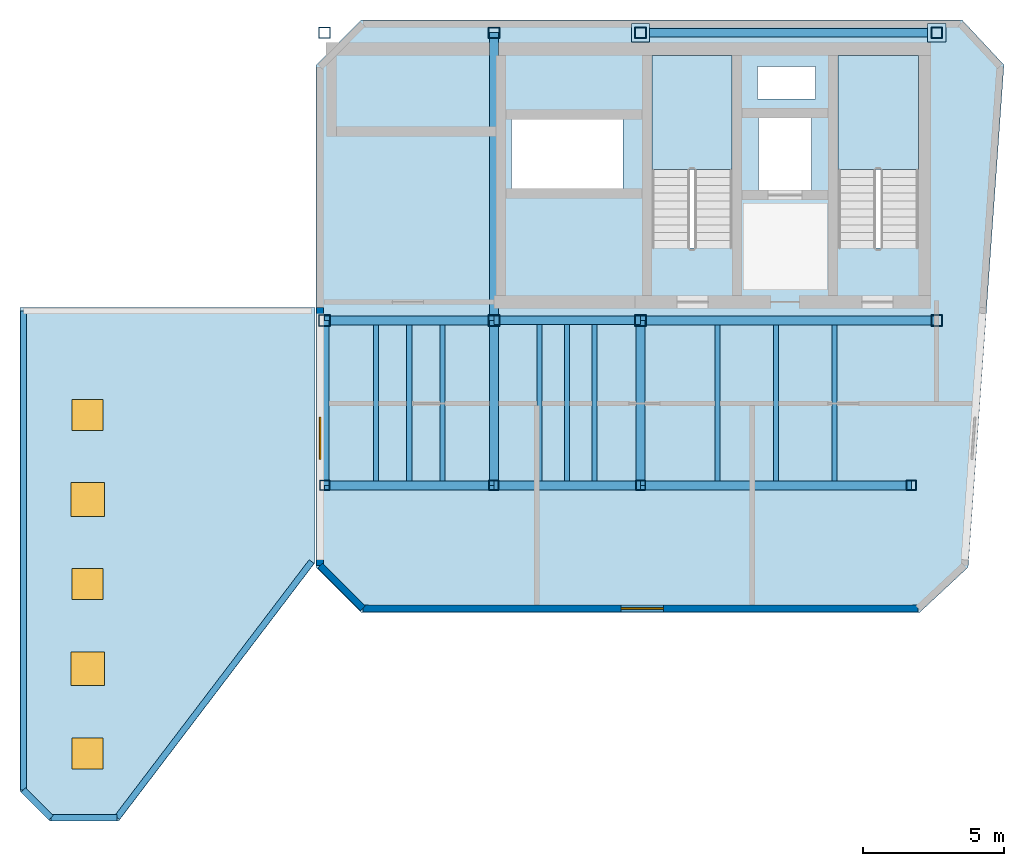
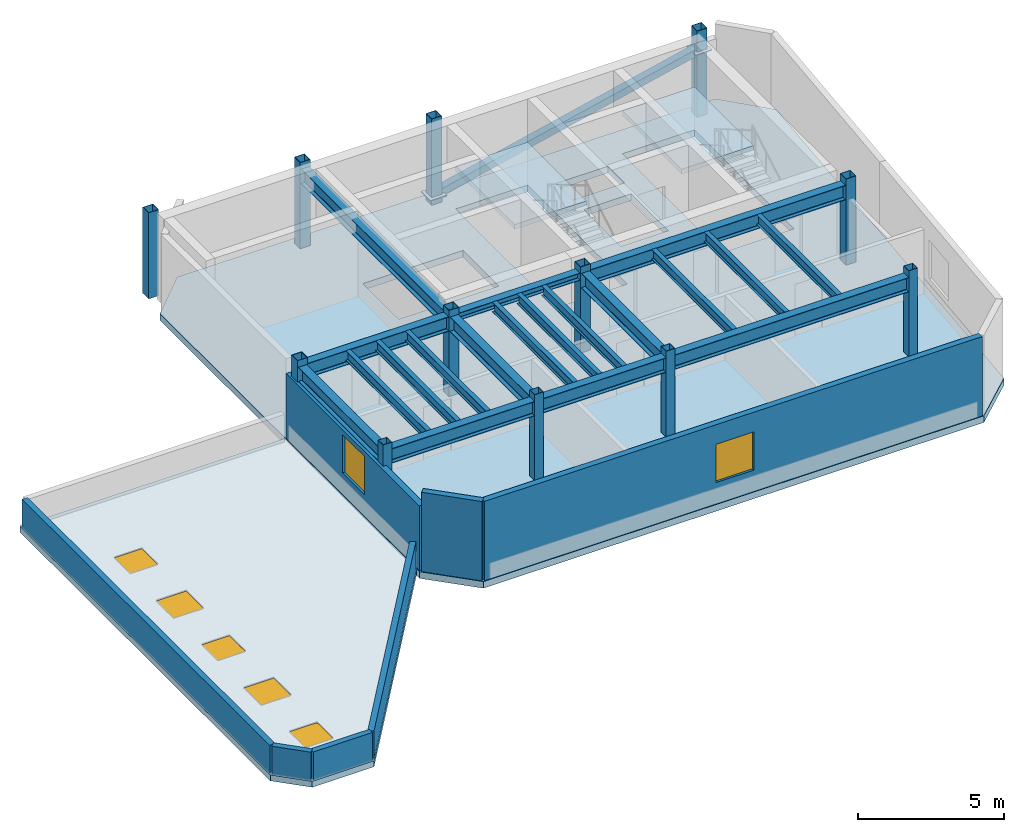
# One storey, part 1 of 4: 19 beams, 12 columns, 7 walls, 4 slabs, 4 windows, 3 doors, 2 plates, 1 member, 7 openings, 2 elements without a shape of their own.
"""IFC4 building model written with IfcOpenShell, lengths in metres."""

from ifc_helpers import new_model, si_unit, direction, frame, frame_2d, origin, origin_2d, place, context, subcontext, project, spatial, polyline, rectangle, hollow_rectangle, i_section, outline, extrude, material, layer, layer_set, material_profile, profile_set, type_object, element, fill, aggregate, save


model = new_model("IFC4")

# Units and contexts
model_context = context("Model", 3, precision=1e-05, world=origin(), true_north=direction((0.0, 1.0)))
body_context = subcontext(model_context, "Body", "Model", "MODEL_VIEW")
ifc_project = project(units=[si_unit("LENGTHUNIT", "METRE"), si_unit("AREAUNIT", "SQUARE_METRE"), si_unit("VOLUMEUNIT", "CUBIC_METRE"), si_unit("PLANEANGLEUNIT", "RADIAN"), si_unit("MASSUNIT", "GRAM", prefix="KILO")], contexts=[model_context])

# Site, building, storey
site_placement = place(None, origin())
site = spatial("IfcSite", under=ifc_project, at=site_placement, CompositionType="ELEMENT")
building_placement = place(site_placement, origin())
building = spatial("IfcBuilding", under=site, at=building_placement, Name="Kravanh Interchange Tower", CompositionType="ELEMENT")
storey_placement = place(building_placement, frame((0.0, 0.0, 315.60009765625)))
storey = spatial("IfcBuildingStorey", under=building, at=storey_placement, Name="L78", CompositionType="ELEMENT", Elevation=315.60009765625)

# Columns
ifc_material_1 = material(Name="Structural Steel S355", Category="steel")
ifc_material_profile_1 = material_profile(ifc_material_1, hollow_rectangle(XDim=0.35009765625, YDim=0.35009765625, WallThickness=0.01611328125, at=origin_2d()), Name="HSS350X350X16")
ifc_profile_set_1 = profile_set([ifc_material_profile_1], Name="Structural Steel S355")
column_type_1 = type_object("IfcColumnType", Name="Column HSS350X350X16 Structural Steel S355", PredefinedType="COLUMN", material=ifc_profile_set_1)
for number, where, z_axis, x_axis, name in (
    (1, (56.0, 31.5, 0.0), (0.0, 0.0, 1.0), (1.0, 0.0, 0.0), "L78 Column CC_F"),
    (2, (65.60009765625, 31.5, 0.0), (0.0, 0.0, 1.0), (1.0, 0.0, 0.0), "L78 Column CC_G"),
    (3, (50.800048828125, 31.5, 0.0), (0.0, 0.0, 1.0), (1.0, 0.0, 0.0), "L78 Column CC_I"),
    (4, (44.800048828125, 31.5, 0.0), (0.0, 0.0, 1.0), (1.0, 0.0, 0.0), "L78 Column CH_E1"),
):
    element("IfcColumn", number, at=place(storey_placement, frame(where, z_axis=z_axis, x_axis=x_axis)), inside=storey, type_object=column_type_1, Name=name, PredefinedType="COLUMN", context=body_context, shape_type="SweptSolid", body=[
        extrude(hollow_rectangle(XDim=0.35009765625, YDim=0.35009765625, WallThickness=0.01611328125, at=origin_2d()), origin(), (0.0, 0.0, 1.0), 3.599853515625),
    ])
ifc_material_2 = material(Name="Structural Steel S355", Category="steel")
ifc_material_profile_2 = material_profile(ifc_material_2, hollow_rectangle(XDim=0.39990234375, YDim=0.39990234375, WallThickness=0.01611328125, at=origin_2d()), Name="HSS400X400X16")
ifc_profile_set_2 = profile_set([ifc_material_profile_2], Name="Structural Steel S355")
column_type_2 = type_object("IfcColumnType", Name="Column HSS400X400X16 Structural Steel S355", PredefinedType="COLUMN", material=ifc_profile_set_2)
for number, where, z_axis, x_axis, name in (
    (5, (66.5, 47.550048828125, 0.0), (0.0, 0.0, 1.0), (1.0, 0.0, 0.0), "L78 Column CS01"),
    (6, (56.0, 47.550048828125, 0.0), (0.0, 0.0, 1.0), (1.0, 0.0, 0.0), "L78 Column CS02"),
    (7, (66.5, 37.35009765625, 0.0), (0.0, 0.0, 1.0), (1.0, 0.0, 0.0), "L78 Column CS03"),
    (8, (56.0, 37.35009765625, 0.0), (0.0, 0.0, 1.0), (1.0, 0.0, 0.0), "L78 Column CS04"),
    (9, (50.800048828125, 47.550048828125, 0.0), (0.0, 0.0, 1.0), (1.0, 0.0, 0.0), "L78 Column CS05"),
    (10, (50.800048828125, 37.35009765625, 0.0), (0.0, 0.0, 1.0), (1.0, 0.0, 0.0), "L78 Column CS06"),
    (11, (44.800048828125, 37.35009765625, 0.0), (0.0, 0.0, 1.0), (1.0, 0.0, 0.0), "L78 Column CS07"),
    (12, (44.800048828125, 47.550048828125, 0.0), (0.0, 0.0, 1.0), (1.0, 0.0, 0.0), "L78 Column CS08"),
):
    element("IfcColumn", number, at=place(storey_placement, frame(where, z_axis=z_axis, x_axis=x_axis)), inside=storey, type_object=column_type_2, Name=name, PredefinedType="COLUMN", context=body_context, shape_type="SweptSolid", body=[
        extrude(hollow_rectangle(XDim=0.39990234375, YDim=0.39990234375, WallThickness=0.01611328125, at=origin_2d()), origin(), (0.0, 0.0, 1.0), 3.599853515625),
    ])

# Beams
ifc_material_3 = material(Name="Structural Steel S355", Category="steel")
ifc_material_profile_3 = material_profile(ifc_material_3, i_section(OverallWidth=0.323974609375, OverallDepth=0.611083984375, WebThickness=0.0126953125, FlangeThickness=0.01904296875, FilletRadius=0.02197265625, at=origin_2d()), Name="W24X104")
ifc_profile_set_3 = profile_set([ifc_material_profile_3], Name="Structural Steel S355")
beam_type_1 = type_object("IfcBeamType", Name="Floor Beam W24X104 Structural Steel S355", PredefinedType="BEAM", material=ifc_profile_set_3)
beam_1_placement = place(storey_placement, frame((56.0, 31.5, 3.014404296875), z_axis=(-1.0, 0.0, 0.0), x_axis=(0.0, -1.0, 0.0)))
element("IfcBeam", 13, at=beam_1_placement, inside=storey, type_object=beam_type_1, Name="L78 Primary Floor Girder 1", PredefinedType="BEAM", context=body_context, shape_type="SweptSolid", body=[
    extrude(i_section(OverallWidth=0.323974609375, OverallDepth=0.611083984375, WebThickness=0.0126953125, FlangeThickness=0.01904296875, FilletRadius=0.02197265625, at=origin_2d()), origin(), (0.0, 0.0, 1.0), 5.199951171875),
])
beam_2_placement = place(storey_placement, frame((56.0, 31.5, 3.014404296875), z_axis=(0.0, 1.0, 0.0), x_axis=(-1.0, 0.0, 0.0)))
element("IfcBeam", 14, at=beam_2_placement, inside=storey, type_object=beam_type_1, Name="L78 Primary Floor Girder 2", PredefinedType="BEAM", context=body_context, shape_type="SweptSolid", body=[
    extrude(i_section(OverallWidth=0.323974609375, OverallDepth=0.611083984375, WebThickness=0.0126953125, FlangeThickness=0.01904296875, FilletRadius=0.02197265625, at=origin_2d()), origin(), (0.0, 0.0, 1.0), 5.85009765625),
])
beam_3_placement = place(storey_placement, frame((56.0, 31.5, 3.014404296875), z_axis=(1.0, 0.0, 0.0), x_axis=(0.0, 1.0, 0.0)))
element("IfcBeam", 15, at=beam_3_placement, inside=storey, type_object=beam_type_1, Name="L78 Primary Floor Girder 3", PredefinedType="BEAM", context=body_context, shape_type="SweptSolid", body=[
    extrude(i_section(OverallWidth=0.323974609375, OverallDepth=0.611083984375, WebThickness=0.0126953125, FlangeThickness=0.01904296875, FilletRadius=0.02197265625, at=origin_2d()), origin(), (0.0, 0.0, 1.0), 9.60009765625),
])
beam_4_placement = place(storey_placement, frame((50.800048828125, 31.5, 3.014404296875), z_axis=(0.0, 1.0, 0.0), x_axis=(-1.0, 0.0, 0.0)))
element("IfcBeam", 16, at=beam_4_placement, inside=storey, type_object=beam_type_1, Name="L78 Primary Floor Girder 4", PredefinedType="BEAM", context=body_context, shape_type="SweptSolid", body=[
    extrude(i_section(OverallWidth=0.323974609375, OverallDepth=0.611083984375, WebThickness=0.0126953125, FlangeThickness=0.01904296875, FilletRadius=0.02197265625, at=origin_2d()), origin(), (0.0, 0.0, 1.0), 5.85009765625),
])
beam_5_placement = place(storey_placement, frame((50.800048828125, 31.5, 3.014404296875), z_axis=(-1.0, 0.0, 0.0), x_axis=(0.0, -1.0, 0.0)))
element("IfcBeam", 17, at=beam_5_placement, inside=storey, type_object=beam_type_1, Name="L78 Primary Floor Girder 5", PredefinedType="BEAM", context=body_context, shape_type="SweptSolid", body=[
    extrude(i_section(OverallWidth=0.323974609375, OverallDepth=0.611083984375, WebThickness=0.0126953125, FlangeThickness=0.01904296875, FilletRadius=0.02197265625, at=origin_2d()), origin(), (0.0, 0.0, 1.0), 6.0),
])
beam_6_placement = place(storey_placement, frame((44.800048828125, 31.5, 3.014404296875), z_axis=(0.0, 1.0, 0.0), x_axis=(-1.0, 0.0, 0.0)))
element("IfcBeam", 18, at=beam_6_placement, inside=storey, type_object=beam_type_1, Name="L78 Primary Floor Girder 6", PredefinedType="BEAM", context=body_context, shape_type="SweptSolid", body=[
    extrude(i_section(OverallWidth=0.323974609375, OverallDepth=0.611083984375, WebThickness=0.0126953125, FlangeThickness=0.01904296875, FilletRadius=0.02197265625, at=origin_2d()), origin(), (0.0, 0.0, 1.0), 5.85009765625),
])
beam_7_placement = place(storey_placement, frame((66.5, 37.35009765625, 3.014404296875), z_axis=(-1.0, 0.0, 0.0), x_axis=(0.0, -1.0, 0.0)))
element("IfcBeam", 19, at=beam_7_placement, inside=storey, type_object=beam_type_1, Name="L78 Primary Floor Girder 11", PredefinedType="BEAM", context=body_context, shape_type="SweptSolid", body=[
    extrude(i_section(OverallWidth=0.323974609375, OverallDepth=0.611083984375, WebThickness=0.0126953125, FlangeThickness=0.01904296875, FilletRadius=0.02197265625, at=origin_2d()), origin(), (0.0, 0.0, 1.0), 10.5),
])
beam_8_placement = place(storey_placement, frame((50.800048828125, 47.550048828125, 3.014404296875), z_axis=(0.0, -1.0, 0.0), x_axis=(1.0, 0.0, 0.0)))
element("IfcBeam", 20, at=beam_8_placement, inside=storey, type_object=beam_type_1, Name="L78 Primary Floor Girder 13", PredefinedType="BEAM", context=body_context, shape_type="SweptSolid", body=[
    extrude(i_section(OverallWidth=0.323974609375, OverallDepth=0.611083984375, WebThickness=0.0126953125, FlangeThickness=0.01904296875, FilletRadius=0.02197265625, at=origin_2d()), origin(), (0.0, 0.0, 1.0), 10.199951171875),
])
beam_9_placement = place(storey_placement, frame((50.800048828125, 37.35009765625, 3.014404296875), z_axis=(-1.0, 0.0, 0.0), x_axis=(0.0, -1.0, 0.0)))
element("IfcBeam", 21, at=beam_9_placement, inside=storey, type_object=beam_type_1, Name="L78 Primary Floor Girder 14", PredefinedType="BEAM", context=body_context, shape_type="SweptSolid", body=[
    extrude(i_section(OverallWidth=0.323974609375, OverallDepth=0.611083984375, WebThickness=0.0126953125, FlangeThickness=0.01904296875, FilletRadius=0.02197265625, at=origin_2d()), origin(), (0.0, 0.0, 1.0), 6.0),
])
ifc_material_4 = material(Name="Structural Steel S355", Category="steel")
ifc_material_profile_4 = material_profile(ifc_material_4, i_section(OverallWidth=0.177978515625, OverallDepth=0.406005859375, WebThickness=0.0078125, FlangeThickness=0.0126953125, FilletRadius=0.01611328125, at=origin_2d()), Name="W16X40")
ifc_profile_set_4 = profile_set([ifc_material_profile_4], Name="Structural Steel S355")
beam_type_2 = type_object("IfcBeamType", Name="Floor Joist W16X40 Structural Steel S355", PredefinedType="JOIST", material=ifc_profile_set_4)
for number, where, z_axis, x_axis, name in (
    (22, (46.625, 31.656982421875, 3.116943359375), (0.0, 1.0, 0.0), (-1.0, 0.0, 0.0), "L78 Secondary Floor Joist 1"),
    (23, (47.800048828125, 31.656982421875, 3.116943359375), (0.0, 1.0, 0.0), (-1.0, 0.0, 0.0), "L78 Secondary Floor Joist 2"),
    (24, (48.97509765625, 31.656982421875, 3.116943359375), (0.0, 1.0, 0.0), (-1.0, 0.0, 0.0), "L78 Secondary Floor Joist 3"),
):
    element("IfcBeam", number, at=place(storey_placement, frame(where, z_axis=z_axis, x_axis=x_axis)), inside=storey, type_object=beam_type_2, Name=name, PredefinedType="JOIST", context=body_context, shape_type="SweptSolid", body=[
        extrude(i_section(OverallWidth=0.177978515625, OverallDepth=0.406005859375, WebThickness=0.0078125, FlangeThickness=0.0126953125, FilletRadius=0.01611328125, at=origin_2d()), origin(), (0.0, 0.0, 1.0), 5.5361328125),
    ])
for number, where, z_axis, x_axis, name in (
    (25, (52.425048828125, 31.656982421875, 3.116943359375), (0.0, 1.0, 0.0), (-1.0, 0.0, 0.0), "L78 Secondary Floor Joist 4"),
    (26, (53.39990234375, 31.656982421875, 3.116943359375), (0.0, 1.0, 0.0), (-1.0, 0.0, 0.0), "L78 Secondary Floor Joist 5"),
    (27, (54.375, 31.656982421875, 3.116943359375), (0.0, 1.0, 0.0), (-1.0, 0.0, 0.0), "L78 Secondary Floor Joist 6"),
):
    element("IfcBeam", number, at=place(storey_placement, frame(where, z_axis=z_axis, x_axis=x_axis)), inside=storey, type_object=beam_type_2, Name=name, PredefinedType="JOIST", context=body_context, shape_type="SweptSolid", body=[
        extrude(i_section(OverallWidth=0.177978515625, OverallDepth=0.406005859375, WebThickness=0.0078125, FlangeThickness=0.0126953125, FilletRadius=0.01611328125, at=origin_2d()), origin(), (0.0, 0.0, 1.0), 5.54541015625),
    ])
for number, where, z_axis, x_axis, name in (
    (28, (58.72509765625, 31.656982421875, 3.116943359375), (0.0, 1.0, 0.0), (-1.0, 0.0, 0.0), "L78 Secondary Floor Joist 7"),
    (29, (60.800048828125, 31.656982421875, 3.116943359375), (0.0, 1.0, 0.0), (-1.0, 0.0, 0.0), "L78 Secondary Floor Joist 8"),
    (30, (62.875, 31.656982421875, 3.116943359375), (0.0, 1.0, 0.0), (-1.0, 0.0, 0.0), "L78 Secondary Floor Joist 9"),
):
    element("IfcBeam", number, at=place(storey_placement, frame(where, z_axis=z_axis, x_axis=x_axis)), inside=storey, type_object=beam_type_2, Name=name, PredefinedType="JOIST", context=body_context, shape_type="SweptSolid", body=[
        extrude(i_section(OverallWidth=0.177978515625, OverallDepth=0.406005859375, WebThickness=0.0078125, FlangeThickness=0.0126953125, FilletRadius=0.01611328125, at=origin_2d()), origin(), (0.0, 0.0, 1.0), 5.5361328125),
    ])
ifc_material_5 = material(Name="Structural Steel S355", Category="steel")
ifc_material_profile_5 = material_profile(ifc_material_5, i_section(OverallWidth=0.304931640625, OverallDepth=0.306884765625, WebThickness=0.010009765625, FlangeThickness=0.015380859375, FilletRadius=0.014892578125, at=origin_2d()), Name="W12X65")
ifc_profile_set_5 = profile_set([ifc_material_profile_5], Name="Structural Steel S355")
beam_type_3 = type_object("IfcBeamType", Name="Floor Lintel W12X65 Structural Steel S355", PredefinedType="LINTEL", material=ifc_profile_set_5)
beam_10_placement = place(storey_placement, frame((50.800048828125, 37.35009765625, 3.16650390625), z_axis=(1.0, 0.0, 0.0), x_axis=(0.0, 1.0, 0.0)))
element("IfcBeam", 31, at=beam_10_placement, inside=storey, type_object=beam_type_3, Name="L78 Core Coupling Lintel 1", PredefinedType="LINTEL", context=body_context, shape_type="SweptSolid", body=[
    extrude(i_section(OverallWidth=0.304931640625, OverallDepth=0.306884765625, WebThickness=0.010009765625, FlangeThickness=0.015380859375, FilletRadius=0.014892578125, at=origin_2d()), origin(), (0.0, 0.0, 1.0), 5.199951171875),
])

# Member
ifc_material_6 = material(Name="Structural Steel S355", Category="steel")
ifc_material_profile_6 = material_profile(ifc_material_6, hollow_rectangle(XDim=0.300048828125, YDim=0.300048828125, WallThickness=0.011962890625, at=origin_2d()), Name="HSS300X300X12")
ifc_profile_set_6 = profile_set([ifc_material_profile_6], Name="Structural Steel S355")
member_type = type_object("IfcMemberType", Name="Frame Brace HSS300X300X12 Structural Steel S355", PredefinedType="BRACE", material=ifc_profile_set_6)
member_placement = place(storey_placement, frame((56.0, 47.550048828125, 0.2998046875), z_axis=(0.974673071817, 0.0, 0.22363453015), x_axis=(0.0, 1.0, 0.0)))
element("IfcMember", 32, at=member_placement, inside=storey, type_object=member_type, Name="L78 Spine Frame Steel Brace 1", PredefinedType="BRACE", context=body_context, shape_type="SweptSolid", body=[
    extrude(hollow_rectangle(XDim=0.300048828125, YDim=0.300048828125, WallThickness=0.011962890625, at=origin_2d()), origin(), (0.0, 0.0, 1.0), 10.77294921875),
])

# Slab
ifc_material_7 = material(Name="Concrete C60/75", Category="concrete")
ifc_layer_1 = layer(ifc_material_7, 0.280029296875)
ifc_layer_set_1 = layer_set([ifc_layer_1], Name="Composite Floor Slab Concrete C60/75 280mm")
slab_type_1 = type_object("IfcSlabType", Name="Composite Floor Slab Concrete C60/75 280mm", PredefinedType="FLOOR", material=ifc_layer_set_1)
slab_1_placement = place(storey_placement, frame((0.0, 0.0, -0.280029296875)))
element("IfcSlab", 33, at=slab_1_placement, inside=storey, type_object=slab_type_1, Name="L78 Structural Floor Slab", PredefinedType="FLOOR", context=body_context, shape_type="SweptSolid", body=[
    extrude(outline(polyline([(44.5, 28.60009765625), (46.10009765625, 27.0), (65.89990234375, 27.0), (67.614013671875, 28.595947265625), (68.885986328125, 46.404052734375), (67.39990234375, 48.0), (46.10009765625, 48.0), (44.5, 46.39990234375), (44.5, 28.60009765625)]), holes=[polyline([(65.85009765625, 39.925048828125), (65.85009765625, 46.75), (63.0, 46.75), (63.0, 39.925048828125), (65.85009765625, 39.925048828125)]), polyline([(59.25, 39.925048828125), (59.25, 46.75), (56.39990234375, 46.75), (56.39990234375, 39.925048828125), (59.25, 39.925048828125)]), polyline([(51.419921875, 42.02001953125), (55.3798828125, 42.02001953125), (55.3798828125, 44.47998046875), (51.419921875, 44.47998046875), (51.419921875, 42.02001953125)]), polyline([(60.179931640625, 41.97998046875), (62.06005859375, 41.97998046875), (62.06005859375, 44.52001953125), (60.179931640625, 44.52001953125), (60.179931640625, 41.97998046875)]), polyline([(60.14990234375, 45.199951171875), (62.199951171875, 45.199951171875), (62.199951171875, 46.35009765625), (60.14990234375, 46.35009765625), (60.14990234375, 45.199951171875)])]), origin(), (0.0, 0.0, 1.0), 0.280029296875),
])

# Stair, slab
ifc_material_8 = material(Name="Concrete C50/60", Category="concrete")
stair_type = type_object("IfcStairType", Name="Core Fire Exit Dogleg Stair Concrete C50/60", PredefinedType="HALF_TURN_STAIR", material=ifc_material_8)
stair_1_placement = place(storey_placement, origin())
stair_1 = element("IfcStair", 34, at=stair_1_placement, inside=storey, type_object=stair_type, Name="L78 Exit Stair ST1", PredefinedType="HALF_TURN_STAIR")
ifc_material_9 = material(Name="Concrete C50/60", Category="concrete")
ifc_layer_2 = layer(ifc_material_9, 0.199951171875)
ifc_layer_set_2 = layer_set([ifc_layer_2], Name="Concrete C50/60 Stair Half-Landing Slab 200mm")
slab_type_2 = type_object("IfcSlabType", Name="Concrete C50/60 Stair Half-Landing Slab 200mm", PredefinedType="LANDING", material=ifc_layer_set_2)
slab_2_placement = place(storey_placement, frame((0.0, 0.0, 1.599853515625)))
slab_2 = element("IfcSlab", 35, at=slab_2_placement, type_object=slab_type_2, Name="ST1 landing 1", PredefinedType="LANDING", context=body_context, shape_type="SweptSolid", body=[
    extrude(outline(polyline([(65.85009765625, 42.699951171875), (65.85009765625, 46.75), (63.0, 46.75), (63.0, 42.699951171875), (65.85009765625, 42.699951171875)])), origin(), (0.0, 0.0, 1.0), 0.199951171875),
])
aggregate(stair_1, [slab_2])

stair_2_placement = place(storey_placement, origin())
stair_2 = element("IfcStair", 36, at=stair_2_placement, inside=storey, type_object=stair_type, Name="L78 Exit Stair ST2", PredefinedType="HALF_TURN_STAIR")
slab_3_placement = place(storey_placement, frame((0.0, 0.0, 1.599853515625)))
slab_3 = element("IfcSlab", 37, at=slab_3_placement, type_object=slab_type_2, Name="ST2 landing 1", PredefinedType="LANDING", context=body_context, shape_type="SweptSolid", body=[
    extrude(outline(polyline([(59.25, 42.699951171875), (59.25, 46.75), (56.39990234375, 46.75), (56.39990234375, 42.699951171875), (59.25, 42.699951171875)])), origin(), (0.0, 0.0, 1.0), 0.199951171875),
])
aggregate(stair_2, [slab_3])

# Plates
ifc_material_10 = material(Name="Structural Steel S450", Category="steel")
ifc_layer_3 = layer(ifc_material_10, 0.031982421875)
ifc_layer_set_3 = layer_set([ifc_layer_3], Name="Flange Continuity Node Plate 650x650x32 S450")
plate_type = type_object("IfcPlateType", Name="Flange Continuity Node Plate 650x650x32 S450", PredefinedType="SHEET", material=ifc_layer_set_3)
for number, where, z_axis, x_axis, name in (
    (38, (56.0, 47.550048828125, 0.28369140625), (0.0, 0.0, 1.0), (1.0, 0.0, 0.0), "L78 Spine Brace Lower Gusset Plate"),
    (39, (66.5, 47.550048828125, 2.69287109375), (0.0, 0.0, 1.0), (1.0, 0.0, 0.0), "L78 Spine Brace Upper Gusset Plate"),
):
    element("IfcPlate", number, at=place(storey_placement, frame(where, z_axis=z_axis, x_axis=x_axis)), inside=storey, type_object=plate_type, Name=name, PredefinedType="SHEET", context=body_context, shape_type="SweptSolid", body=[
        extrude(rectangle(XDim=0.64990234375, YDim=0.64990234375, at=origin_2d()), origin(), (0.0, 0.0, 1.0), 0.031982421875),
    ])

# Slab, openings, windows, doors
ifc_material_11 = material(Name="Concrete C50/60", Category="concrete")
ifc_layer_4 = layer(ifc_material_11, 0.25)
ifc_layer_set_4 = layer_set([ifc_layer_4], Name="Insulated Terrace Roof Slab Concrete C50/60 250mm")
slab_type_3 = type_object("IfcSlabType", Name="Insulated Terrace Roof Slab Concrete C50/60 250mm", PredefinedType="ROOF", material=ifc_layer_set_4)
slab_4_placement = place(storey_placement, frame((0.0, 0.0, -0.25)))
slab_4 = element("IfcSlab", 40, at=slab_4_placement, inside=storey, type_object=slab_type_3, Name="L78 Maintenance Skylight Roof 1", PredefinedType="ROOF", context=body_context, shape_type="SweptSolid", body=[
    extrude(outline(polyline([(35.050048828125, 19.60009765625), (34.0, 20.64990234375), (34.0, 37.800048828125), (44.4599609375, 37.800048828125), (44.4599609375, 28.7578125), (37.5, 19.60009765625), (35.050048828125, 19.60009765625)]), holes=[polyline([(35.85009765625, 21.449951171875), (36.949951171875, 21.449951171875), (36.949951171875, 22.550048828125), (35.85009765625, 22.550048828125), (35.85009765625, 21.449951171875)]), polyline([(35.800048828125, 24.39990234375), (37.0, 24.39990234375), (37.0, 25.60009765625), (35.800048828125, 25.60009765625), (35.800048828125, 24.39990234375)]), polyline([(35.85009765625, 27.449951171875), (36.949951171875, 27.449951171875), (36.949951171875, 28.550048828125), (35.85009765625, 28.550048828125), (35.85009765625, 27.449951171875)]), polyline([(35.800048828125, 30.39990234375), (37.0, 30.39990234375), (37.0, 31.60009765625), (35.800048828125, 31.60009765625), (35.800048828125, 30.39990234375)]), polyline([(35.85009765625, 33.449951171875), (36.949951171875, 33.449951171875), (36.949951171875, 34.550048828125), (35.85009765625, 34.550048828125), (35.85009765625, 33.449951171875)])]), origin(), (0.0, 0.0, 1.0), 0.25),
])
opening_1_placement = place(slab_4_placement, frame((36.39990234375, 22.0, 0.0)))
opening_1 = element("IfcOpeningElement", 41, at=opening_1_placement, cuts=slab_4, Name="Opening RH-110", PredefinedType="OPENING", context=body_context, shape_type="SweptSolid", body=[
    extrude(rectangle(XDim=1.10009765625, YDim=1.10009765625, at=origin_2d()), origin(), (0.0, 0.0, 1.0), 0.25),
])
opening_2_placement = place(slab_4_placement, frame((36.39990234375, 28.0, 0.0)))
opening_2 = element("IfcOpeningElement", 42, at=opening_2_placement, cuts=slab_4, Name="Opening RH-110", PredefinedType="OPENING", context=body_context, shape_type="SweptSolid", body=[
    extrude(rectangle(XDim=1.10009765625, YDim=1.10009765625, at=origin_2d()), origin(), (0.0, 0.0, 1.0), 0.25),
])
opening_3_placement = place(slab_4_placement, frame((36.39990234375, 34.0, 0.0)))
opening_3 = element("IfcOpeningElement", 43, at=opening_3_placement, cuts=slab_4, Name="Opening RH-110", PredefinedType="OPENING", context=body_context, shape_type="SweptSolid", body=[
    extrude(rectangle(XDim=1.10009765625, YDim=1.10009765625, at=origin_2d()), origin(), (0.0, 0.0, 1.0), 0.25),
])
opening_4_placement = place(slab_4_placement, frame((36.39990234375, 25.0, 0.0)))
opening_4 = element("IfcOpeningElement", 44, at=opening_4_placement, cuts=slab_4, Name="Opening SK-120X120", PredefinedType="OPENING", context=body_context, shape_type="SweptSolid", body=[
    extrude(rectangle(XDim=1.199951171875, YDim=1.199951171875, at=origin_2d()), origin(), (0.0, 0.0, 1.0), 0.25),
])
opening_5_placement = place(slab_4_placement, frame((36.39990234375, 31.0, 0.0)))
opening_5 = element("IfcOpeningElement", 45, at=opening_5_placement, cuts=slab_4, Name="Opening SK-120X120", PredefinedType="OPENING", context=body_context, shape_type="SweptSolid", body=[
    extrude(rectangle(XDim=1.199951171875, YDim=1.199951171875, at=origin_2d()), origin(), (0.0, 0.0, 1.0), 0.25),
])
ifc_material_12 = material(Name="Thermally Broken Bronze Aluminium and Low-E Glass", Category="aluminium")
window_type_1 = type_object("IfcWindowType", Name="Crown Roof Daylight Skylight 1200x1200", PartitioningType="SINGLE_PANEL", PredefinedType="SKYLIGHT", material=ifc_material_12)
window_1_placement = place(opening_4_placement, frame((0.0, 0.0, 0.199951171875)))
window_1 = element("IfcWindow", 46, at=window_1_placement, inside=storey, type_object=window_type_1, Name="L78 Crown Setback Telemetry Skylight 1", OverallHeight=1.199951171875, OverallWidth=1.199951171875, PartitioningType="SINGLE_PANEL", PredefinedType="SKYLIGHT", context=body_context, shape_type="SweptSolid", body=[
    extrude(rectangle(XDim=1.199951171875, YDim=1.199951171875, at=origin_2d()), origin(), (0.0, 0.0, 1.0), 0.050048828125),
])
fill(opening_4, window_1)
window_2_placement = place(opening_5_placement, frame((0.0, 0.0, 0.199951171875)))
window_2 = element("IfcWindow", 47, at=window_2_placement, inside=storey, type_object=window_type_1, Name="L78 Crown Setback Telemetry Skylight 2", OverallHeight=1.199951171875, OverallWidth=1.199951171875, PartitioningType="SINGLE_PANEL", PredefinedType="SKYLIGHT", context=body_context, shape_type="SweptSolid", body=[
    extrude(rectangle(XDim=1.199951171875, YDim=1.199951171875, at=origin_2d()), origin(), (0.0, 0.0, 1.0), 0.050048828125),
])
fill(opening_5, window_2)
ifc_material_13 = material(Name="Insulated Aluminium Chequer Plate", Category="aluminium")
door_type = type_object("IfcDoorType", Name="Roof Maintenance Access Hatch 1100x1100", OperationType="SINGLE_SWING_LEFT", PredefinedType="TRAPDOOR", material=ifc_material_13)
door_1_placement = place(opening_1_placement, frame((0.0, 0.0, 0.199951171875)))
door_1 = element("IfcDoor", 48, at=door_1_placement, inside=storey, type_object=door_type, Name="L78 Crown Setback Roof Maintenance Access Hatch 1", OperationType="SINGLE_SWING_LEFT", OverallHeight=1.10009765625, OverallWidth=1.10009765625, PredefinedType="TRAPDOOR", context=body_context, shape_type="SweptSolid", body=[
    extrude(rectangle(XDim=1.10009765625, YDim=1.10009765625, at=origin_2d()), origin(), (0.0, 0.0, 1.0), 0.050048828125),
])
fill(opening_1, door_1)
door_2_placement = place(opening_2_placement, frame((0.0, 0.0, 0.199951171875)))
door_2 = element("IfcDoor", 49, at=door_2_placement, inside=storey, type_object=door_type, Name="L78 Crown Setback Roof Maintenance Access Hatch 2", OperationType="SINGLE_SWING_LEFT", OverallHeight=1.10009765625, OverallWidth=1.10009765625, PredefinedType="TRAPDOOR", context=body_context, shape_type="SweptSolid", body=[
    extrude(rectangle(XDim=1.10009765625, YDim=1.10009765625, at=origin_2d()), origin(), (0.0, 0.0, 1.0), 0.050048828125),
])
fill(opening_2, door_2)
door_3_placement = place(opening_3_placement, frame((0.0, 0.0, 0.199951171875)))
door_3 = element("IfcDoor", 50, at=door_3_placement, inside=storey, type_object=door_type, Name="L78 Crown Setback Roof Maintenance Access Hatch 3", OperationType="SINGLE_SWING_LEFT", OverallHeight=1.10009765625, OverallWidth=1.10009765625, PredefinedType="TRAPDOOR", context=body_context, shape_type="SweptSolid", body=[
    extrude(rectangle(XDim=1.10009765625, YDim=1.10009765625, at=origin_2d()), origin(), (0.0, 0.0, 1.0), 0.050048828125),
])
fill(opening_3, door_3)

# Wall, opening, window
ifc_material_14 = material(Name="Insulated Concrete C40/50 with Bronze Rainscreen", Category="concrete")
ifc_layer_5 = layer(ifc_material_14, 0.239990234375)
ifc_layer_set_5 = layer_set([ifc_layer_5], Name="Exterior Insulated Concrete C40/50 Crown Enclosure Wall 240mm")
wall_type_1 = type_object("IfcWallType", Name="Exterior Insulated Concrete C40/50 Crown Enclosure Wall 240mm", PredefinedType="STANDARD", material=ifc_layer_set_5)
wall_1_placement = place(storey_placement, frame((44.639892578125, 28.657958984375, 0.0), z_axis=(0.0, 0.0, 1.0), x_axis=(0.0, 1.0, 0.0)))
wall_1 = element("IfcWall", 51, at=wall_1_placement, inside=storey, type_object=wall_type_1, Name="L78 Exterior Enclosure Wall 1", PredefinedType="STANDARD", context=body_context, shape_type="SweptSolid", body=[
    extrude(rectangle(XDim=9.14208984375, YDim=0.239990234375, at=frame_2d((4.571044921875, 0.0))), origin(), (0.0, 0.0, 1.0), 2.708984375),
])
opening_6_placement = place(wall_1_placement, frame((3.760498046875, 0.0, 0.89990234375)))
opening_6 = element("IfcOpeningElement", 52, at=opening_6_placement, cuts=wall_1, Name="Opening WN-150X160", PredefinedType="OPENING", context=body_context, shape_type="SweptSolid", body=[
    extrude(rectangle(XDim=1.5, YDim=1.60009765625, at=frame_2d((0.75, 0.800048828125))), frame((0.0, 0.1298828125, 0.0), z_axis=(0.0, -1.0, 0.0), x_axis=(1.0, 0.0, 0.0)), (0.0, 0.0, 1.0), 0.260009765625),
])
ifc_material_15 = material(Name="Thermally Broken Bronze Aluminium and Low-E Glass", Category="aluminium")
window_type_2 = type_object("IfcWindowType", Name="Crown Clerestory Window 1500x1600", PartitioningType="SINGLE_PANEL", PredefinedType="WINDOW", material=ifc_material_15)
window_3_placement = place(opening_6_placement, origin())
window_3 = element("IfcWindow", 53, at=window_3_placement, inside=storey, type_object=window_type_2, Name="L78 Crown Clerestory Window 1", OverallHeight=1.60009765625, OverallWidth=1.5, PartitioningType="SINGLE_PANEL", PredefinedType="WINDOW", context=body_context, shape_type="SweptSolid", body=[
    extrude(rectangle(XDim=1.5, YDim=1.60009765625, at=frame_2d((0.75, 0.800048828125))), frame((0.0, 0.030029296875, 0.0), z_axis=(0.0, -1.0, 0.0), x_axis=(1.0, 0.0, 0.0)), (0.0, 0.0, 1.0), 0.06005859375),
])
fill(opening_6, window_3)

wall_2_placement = place(storey_placement, frame((65.844970703125, 27.139892578125, 0.0), z_axis=(0.0, 0.0, 1.0), x_axis=(-1.0, 0.0, 0.0)))
wall_2 = element("IfcWall", 54, at=wall_2_placement, inside=storey, type_object=wall_type_1, Name="L78 Exterior Enclosure Wall 9", PredefinedType="STANDARD", context=body_context, shape_type="SweptSolid", body=[
    extrude(rectangle(XDim=19.68701171875, YDim=0.239990234375, at=frame_2d((9.843505859375, 0.0))), origin(), (0.0, 0.0, 1.0), 3.31982421875),
])
opening_7_placement = place(wall_2_placement, frame((9.033203125, 0.0, 0.89990234375)))
opening_7 = element("IfcOpeningElement", 55, at=opening_7_placement, cuts=wall_2, Name="Opening WN-150X160", PredefinedType="OPENING", context=body_context, shape_type="SweptSolid", body=[
    extrude(rectangle(XDim=1.5, YDim=1.60009765625, at=frame_2d((0.75, 0.800048828125))), frame((0.0, 0.1298828125, 0.0), z_axis=(0.0, -1.0, 0.0), x_axis=(1.0, 0.0, 0.0)), (0.0, 0.0, 1.0), 0.260009765625),
])
window_4_placement = place(opening_7_placement, origin())
window_4 = element("IfcWindow", 56, at=window_4_placement, inside=storey, type_object=window_type_2, Name="L78 Crown Clerestory Window 9", OverallHeight=1.60009765625, OverallWidth=1.5, PartitioningType="SINGLE_PANEL", PredefinedType="WINDOW", context=body_context, shape_type="SweptSolid", body=[
    extrude(rectangle(XDim=1.5, YDim=1.60009765625, at=frame_2d((0.75, 0.800048828125))), frame((0.0, 0.030029296875, 0.0), z_axis=(0.0, -1.0, 0.0), x_axis=(1.0, 0.0, 0.0)), (0.0, 0.0, 1.0), 0.06005859375),
])
fill(opening_7, window_4)

# Walls
wall_3_placement = place(storey_placement, frame((46.157958984375, 27.139892578125, 0.0), z_axis=(0.0, 0.0, 1.0), x_axis=(-0.707106781187, 0.707106781187, 0.0)))
element("IfcWall", 57, at=wall_3_placement, inside=storey, type_object=wall_type_1, Name="L78 Exterior Enclosure Wall 10", PredefinedType="STANDARD", context=body_context, shape_type="SweptSolid", body=[
    extrude(rectangle(XDim=2.14697265625, YDim=0.239990234375, at=frame_2d((1.073486328125, 0.0))), origin(), (0.0, 0.0, 1.0), 3.31982421875),
])
ifc_material_16 = material(Name="Concrete C40/50", Category="concrete")
ifc_layer_6 = layer(ifc_material_16, 0.219970703125)
ifc_layer_set_6 = layer_set([ifc_layer_6], Name="Roof Parapet Upstand Wall Concrete C40/50 220mm")
wall_type_2 = type_object("IfcWallType", Name="Roof Parapet Upstand Wall Concrete C40/50 220mm", PredefinedType="PARAPET", material=ifc_layer_set_6)
wall_4_placement = place(storey_placement, frame((35.099609375, 19.719970703125, 0.0), z_axis=(0.0, 0.0, 1.0), x_axis=(-0.707018662703, 0.70719488869, 0.0)))
element("IfcWall", 58, at=wall_4_placement, inside=storey, type_object=wall_type_2, Name="L78 Stepped Roof Parapet 1-1", PredefinedType="PARAPET", context=body_context, shape_type="SweptSolid", body=[
    extrude(rectangle(XDim=1.385498046875, YDim=0.219970703125, at=frame_2d((0.69287109375, 0.0))), origin(), (0.0, 0.0, 1.0), 1.199951171875),
])
wall_5_placement = place(storey_placement, frame((34.1201171875, 20.69970703125, 0.0), z_axis=(0.0, 0.0, 1.0), x_axis=(0.0, 1.0, 0.0)))
element("IfcWall", 59, at=wall_5_placement, inside=storey, type_object=wall_type_2, Name="L78 Stepped Roof Parapet 1-2", PredefinedType="PARAPET", context=body_context, shape_type="SweptSolid", body=[
    extrude(rectangle(XDim=16.980224609375, YDim=0.219970703125, at=frame_2d((8.490234375, 0.0))), origin(), (0.0, 0.0, 1.0), 1.199951171875),
])
wall_6_placement = place(storey_placement, frame((44.340087890625, 28.79833984375, 0.0), z_axis=(0.0, 0.0, 1.0), x_axis=(-0.605088696204, -0.796158068304, 0.0)))
element("IfcWall", 60, at=wall_6_placement, inside=storey, type_object=wall_type_2, Name="L78 Stepped Roof Parapet 1-5", PredefinedType="PARAPET", context=body_context, shape_type="SweptSolid", body=[
    extrude(rectangle(XDim=11.40283203125, YDim=0.219970703125, at=frame_2d((5.701416015625, 0.0))), origin(), (0.0, 0.0, 1.0), 1.199951171875),
])
wall_7_placement = place(storey_placement, frame((37.4404296875, 19.719970703125, 0.0), z_axis=(0.0, 0.0, 1.0), x_axis=(-1.0, 0.0, 0.0)))
element("IfcWall", 61, at=wall_7_placement, inside=storey, type_object=wall_type_2, Name="L78 Stepped Roof Parapet 1-6", PredefinedType="PARAPET", context=body_context, shape_type="SweptSolid", body=[
    extrude(rectangle(XDim=2.3408203125, YDim=0.219970703125, at=frame_2d((1.17041015625, 0.0))), origin(), (0.0, 0.0, 1.0), 1.199951171875),
])

save(model, "model.ifc")
